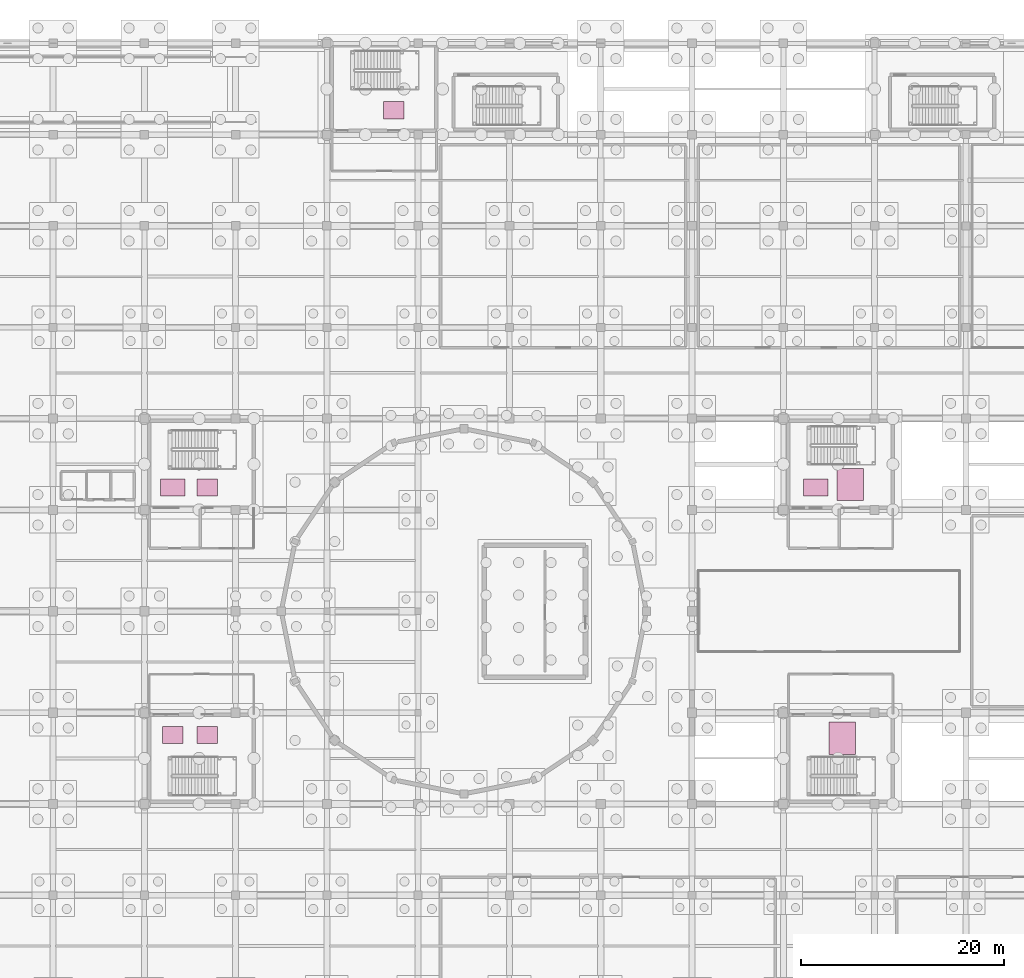
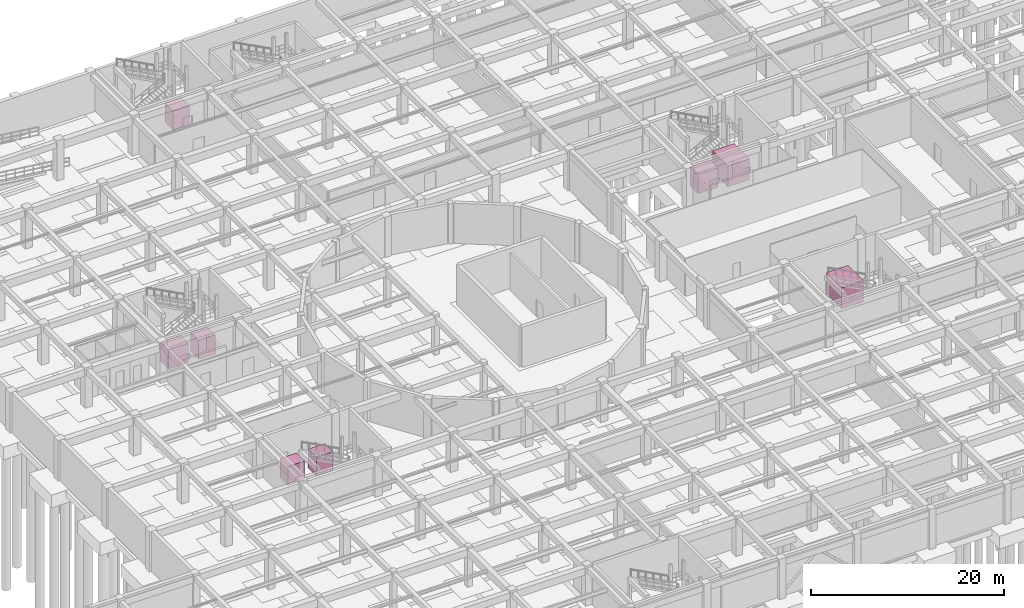
# One storey, part 62 of 62: 8 transport elements.
"""IFC4 building model written with IfcOpenShell, lengths in metres."""

from ifc_helpers import new_model, si_unit, direction, frame, origin, origin_2d, place, context, subcontext, project, spatial, rectangle, extrude, material, type_object, element, save


model = new_model("IFC4")

# Units and contexts
model_context = context("Model", 3, precision=1e-05, world=origin(), true_north=direction((0.0, 1.0)))
body_context = subcontext(model_context, "Body", "Model", "MODEL_VIEW")
ifc_project = project(units=[si_unit("LENGTHUNIT", "METRE"), si_unit("AREAUNIT", "SQUARE_METRE"), si_unit("VOLUMEUNIT", "CUBIC_METRE"), si_unit("PLANEANGLEUNIT", "RADIAN"), si_unit("MASSUNIT", "GRAM", prefix="KILO")], contexts=[model_context])

# Site, building, storey
site_placement = place(None, origin())
site = spatial("IfcSite", under=ifc_project, at=site_placement, CompositionType="ELEMENT")
building_placement = place(site_placement, origin())
building = spatial("IfcBuilding", under=site, at=building_placement, Name="Miravela Opera House", CompositionType="ELEMENT")
storey_placement = place(building_placement, frame((0.0, 0.0, -5.10009765625)))
storey = spatial("IfcBuildingStorey", under=building, at=storey_placement, Name="B01", CompositionType="ELEMENT", Elevation=-5.10009765625)

# Transport elements
ifc_material_1 = material(Name="Brushed stainless steel fire-service elevator cab", Category="steel")
transport_element_type_1 = type_object("IfcTransportElementType", Name="ARC-LIFT-FFL-2400X1650", PredefinedType="ELEVATOR", material=ifc_material_1)
for number, where, z_axis, x_axis, name in (
    (1, (47.800048828125, 68.199951171875, 0.0), (0.0, 0.0, 1.0), (1.0, 0.0, 0.0), "Firefighting Lift FFL-01"),
    (2, (111.199951171875, 68.199951171875, 0.0), (0.0, 0.0, 1.0), (1.0, 0.0, 0.0), "Firefighting Lift FFL-02"),
):
    element("IfcTransportElement", number, at=place(storey_placement, frame(where, z_axis=z_axis, x_axis=x_axis)), inside=storey, type_object=transport_element_type_1, Name=name, PredefinedType="ELEVATOR", context=body_context, shape_type="SweptSolid", body=[
        extrude(rectangle(XDim=2.39990234375, YDim=1.64990234375, at=origin_2d()), origin(), (0.0, 0.0, 1.0), 2.449951171875),
    ])
ifc_material_2 = material(Name="Heavy-duty brushed steel stage freight elevator cab", Category="steel")
transport_element_type_2 = type_object("IfcTransportElementType", Name="ARC-LIFT-FRT-2600X3200", PredefinedType="ELEVATOR", material=ifc_material_2)
for number, where, z_axis, x_axis, name in (
    (3, (114.60009765625, 68.5, 0.000244140625), (0.0, 0.0, 1.0), (1.0, 0.0, 0.0), "Stage Freight Lift FL-01"),
    (4, (113.800048828125, 43.5, 0.000244140625), (0.0, 0.0, 1.0), (1.0, 0.0, 0.0), "Scenery Freight Lift FL-02"),
):
    element("IfcTransportElement", number, at=place(storey_placement, frame(where, z_axis=z_axis, x_axis=x_axis)), inside=storey, type_object=transport_element_type_2, Name=name, PredefinedType="ELEVATOR", context=body_context, shape_type="SweptSolid", body=[
        extrude(rectangle(XDim=2.60009765625, YDim=3.199951171875, at=origin_2d()), origin(), (0.0, 0.0, 1.0), 2.64990234375),
    ])
ifc_material_3 = material(Name="Architectural bronze and hardwood passenger elevator cab", Category="wood")
transport_element_type_3 = type_object("IfcTransportElementType", Name="ARC-LIFT-PAX-2000X1700", PredefinedType="ELEVATOR", material=ifc_material_3)
for number, where, z_axis, x_axis, name in (
    (5, (51.199951171875, 68.199951171875, 0.000244140625), (0.0, 0.0, 1.0), (1.0, 0.0, 0.0), "Passenger Lift PL-01"),
    (6, (47.800048828125, 43.800048828125, 0.000244140625), (0.0, 0.0, 1.0), (1.0, 0.0, 0.0), "Passenger Lift PL-02"),
    (7, (51.199951171875, 43.800048828125, 0.000244140625), (0.0, 0.0, 1.0), (1.0, 0.0, 0.0), "Passenger Lift PL-03"),
    (8, (69.60009765625, 105.39990234375, 0.000244140625), (0.0, 0.0, 1.0), (1.0, 0.0, 0.0), "Rehearsal Passenger Lift PL-04"),
):
    element("IfcTransportElement", number, at=place(storey_placement, frame(where, z_axis=z_axis, x_axis=x_axis)), inside=storey, type_object=transport_element_type_3, Name=name, PredefinedType="ELEVATOR", context=body_context, shape_type="SweptSolid", body=[
        extrude(rectangle(XDim=2.0, YDim=1.699951171875, at=origin_2d()), origin(), (0.0, 0.0, 1.0), 2.39990234375),
    ])

save(model, "model.ifc")
